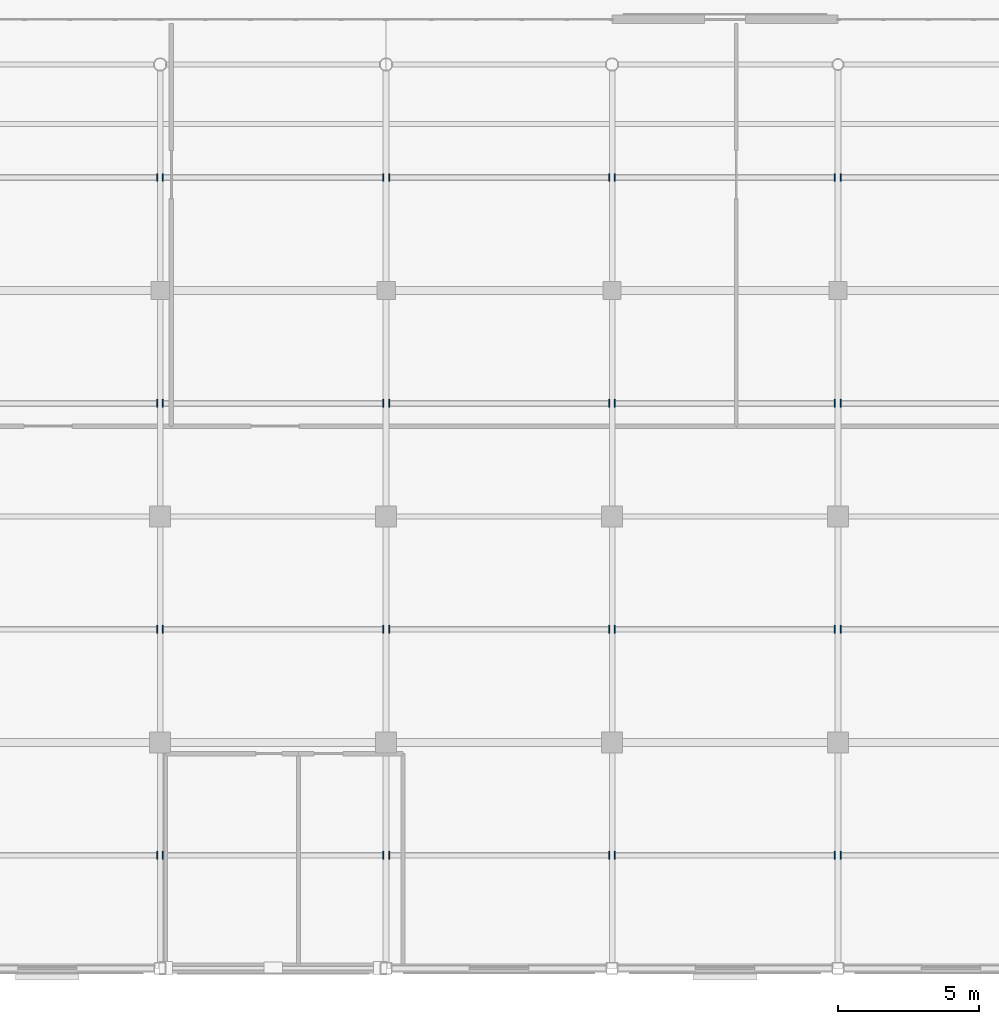
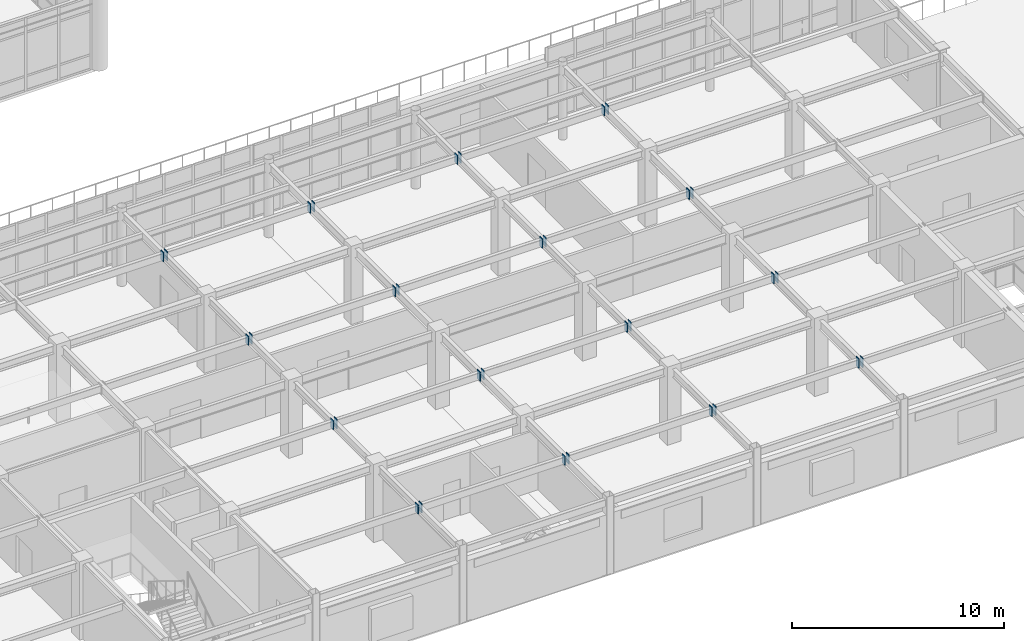
# One storey, part 68 of 93: 32 discrete accessories.
"""IFC4 building model written with IfcOpenShell, lengths in metres."""

from ifc_helpers import new_model, si_unit, direction, frame, origin, origin_2d, place, context, subcontext, project, spatial, rectangle, extrude, material, layer, layer_set, type_object, element, save


model = new_model("IFC4")

# Units and contexts
model_context = context("Model", 3, precision=1e-05, world=origin(), true_north=direction((0.0, 1.0)))
body_context = subcontext(model_context, "Body", "Model", "MODEL_VIEW")
ifc_project = project(units=[si_unit("LENGTHUNIT", "METRE"), si_unit("AREAUNIT", "SQUARE_METRE"), si_unit("VOLUMEUNIT", "CUBIC_METRE"), si_unit("PLANEANGLEUNIT", "RADIAN"), si_unit("MASSUNIT", "GRAM", prefix="KILO")], contexts=[model_context])

# Site, building, storey
site_placement = place(None, origin())
site = spatial("IfcSite", under=ifc_project, at=site_placement, CompositionType="ELEMENT")
building_placement = place(site_placement, origin())
building = spatial("IfcBuilding", under=site, at=building_placement, Name="Solmirada Galleria", CompositionType="ELEMENT")
storey_placement = place(building_placement, frame((0.0, 0.0, 14.89990234375)))
storey = spatial("IfcBuildingStorey", under=building, at=storey_placement, Name="L03", CompositionType="ELEMENT", Elevation=14.89990234375)

# Discrete accessories
ifc_material = material(Name="Steel S355 / ASTM A572 Grade 50", Category="steel")
ifc_layer = layer(ifc_material, 0.031982421875)
ifc_layer_set = layer_set([ifc_layer], Name="Steel S355 / ASTM A572 Grade 50")
discrete_accessory_type = type_object("IfcDiscreteAccessoryType", Name="ACC-COL-CAP", PredefinedType="BRACKET", material=ifc_layer_set)
for number, where, z_axis, x_axis, name in (
    (1, (103.903076171875, 4.0, 3.8271484375), (0.0, 0.0, 1.0), (1.0, 0.0, 0.0), "Hollow joist end plate L04-13-01-R"),
    (2, (103.903076171875, 12.0, 3.8271484375), (0.0, 0.0, 1.0), (1.0, 0.0, 0.0), "Hollow joist end plate L04-13-02-R"),
    (3, (103.903076171875, 20.0, 3.8271484375), (0.0, 0.0, 1.0), (1.0, 0.0, 0.0), "Hollow joist end plate L04-13-03-R"),
    (4, (103.903076171875, 28.0, 3.787109375), (0.0, 0.0, 1.0), (1.0, 0.0, 0.0), "Hollow joist end plate L04-13-04-R"),
    (5, (104.096923828125, 4.0, 3.8271484375), (0.0, 0.0, 1.0), (1.0, 0.0, 0.0), "Hollow joist end plate L04-14-01-L"),
    (6, (111.89501953125, 4.0, 3.8271484375), (0.0, 0.0, 1.0), (1.0, 0.0, 0.0), "Hollow joist end plate L04-14-01-R"),
    (7, (104.096923828125, 12.0, 3.8271484375), (0.0, 0.0, 1.0), (1.0, 0.0, 0.0), "Hollow joist end plate L04-14-02-L"),
    (8, (111.89501953125, 12.0, 3.8271484375), (0.0, 0.0, 1.0), (1.0, 0.0, 0.0), "Hollow joist end plate L04-14-02-R"),
    (9, (104.096923828125, 20.0, 3.8271484375), (0.0, 0.0, 1.0), (1.0, 0.0, 0.0), "Hollow joist end plate L04-14-03-L"),
    (10, (111.89501953125, 20.0, 3.8271484375), (0.0, 0.0, 1.0), (1.0, 0.0, 0.0), "Hollow joist end plate L04-14-03-R"),
    (11, (104.096923828125, 28.0, 3.787109375), (0.0, 0.0, 1.0), (1.0, 0.0, 0.0), "Hollow joist end plate L04-14-04-L"),
    (12, (111.89501953125, 28.0, 3.787109375), (0.0, 0.0, 1.0), (1.0, 0.0, 0.0), "Hollow joist end plate L04-14-04-R"),
    (13, (112.10498046875, 4.0, 3.8271484375), (0.0, 0.0, 1.0), (1.0, 0.0, 0.0), "Hollow joist end plate L04-15-01-L"),
    (14, (119.903076171875, 4.0, 3.8271484375), (0.0, 0.0, 1.0), (1.0, 0.0, 0.0), "Hollow joist end plate L04-15-01-R"),
    (15, (112.10498046875, 12.0, 3.8271484375), (0.0, 0.0, 1.0), (1.0, 0.0, 0.0), "Hollow joist end plate L04-15-02-L"),
    (16, (119.903076171875, 12.0, 3.8271484375), (0.0, 0.0, 1.0), (1.0, 0.0, 0.0), "Hollow joist end plate L04-15-02-R"),
    (17, (112.10498046875, 20.0, 3.8271484375), (0.0, 0.0, 1.0), (1.0, 0.0, 0.0), "Hollow joist end plate L04-15-03-L"),
    (18, (119.903076171875, 20.0, 3.8271484375), (0.0, 0.0, 1.0), (1.0, 0.0, 0.0), "Hollow joist end plate L04-15-03-R"),
    (19, (112.10498046875, 28.0, 3.787109375), (0.0, 0.0, 1.0), (1.0, 0.0, 0.0), "Hollow joist end plate L04-15-04-L"),
    (20, (119.903076171875, 28.0, 3.787109375), (0.0, 0.0, 1.0), (1.0, 0.0, 0.0), "Hollow joist end plate L04-15-04-R"),
    (21, (120.096923828125, 4.0, 3.8271484375), (0.0, 0.0, 1.0), (1.0, 0.0, 0.0), "Hollow joist end plate L04-16-01-L"),
    (22, (127.89501953125, 4.0, 3.8271484375), (0.0, 0.0, 1.0), (1.0, 0.0, 0.0), "Hollow joist end plate L04-16-01-R"),
    (23, (120.096923828125, 12.0, 3.8271484375), (0.0, 0.0, 1.0), (1.0, 0.0, 0.0), "Hollow joist end plate L04-16-02-L"),
    (24, (127.89501953125, 12.0, 3.8271484375), (0.0, 0.0, 1.0), (1.0, 0.0, 0.0), "Hollow joist end plate L04-16-02-R"),
    (25, (120.096923828125, 20.0, 3.8271484375), (0.0, 0.0, 1.0), (1.0, 0.0, 0.0), "Hollow joist end plate L04-16-03-L"),
    (26, (127.89501953125, 20.0, 3.8271484375), (0.0, 0.0, 1.0), (1.0, 0.0, 0.0), "Hollow joist end plate L04-16-03-R"),
    (27, (120.096923828125, 28.0, 3.787109375), (0.0, 0.0, 1.0), (1.0, 0.0, 0.0), "Hollow joist end plate L04-16-04-L"),
    (28, (127.89501953125, 28.0, 3.787109375), (0.0, 0.0, 1.0), (1.0, 0.0, 0.0), "Hollow joist end plate L04-16-04-R"),
    (29, (128.10498046875, 4.0, 3.787109375), (0.0, 0.0, 1.0), (1.0, 0.0, 0.0), "Hollow joist end plate L04-17-01-L"),
    (30, (128.10498046875, 12.0, 3.787109375), (0.0, 0.0, 1.0), (1.0, 0.0, 0.0), "Hollow joist end plate L04-17-02-L"),
    (31, (128.10498046875, 20.0, 3.787109375), (0.0, 0.0, 1.0), (1.0, 0.0, 0.0), "Hollow joist end plate L04-17-03-L"),
    (32, (128.10498046875, 28.0, 3.787109375), (0.0, 0.0, 1.0), (1.0, 0.0, 0.0), "Hollow joist end plate L04-17-04-L"),
):
    element("IfcDiscreteAccessory", number, at=place(storey_placement, frame(where, z_axis=z_axis, x_axis=x_axis)), inside=storey, type_object=discrete_accessory_type, Name=name, PredefinedType="BRACKET", context=body_context, shape_type="SweptSolid", body=[
        extrude(rectangle(XDim=0.035888671875, YDim=0.280029296875, at=origin_2d()), origin(), (0.0, 0.0, 1.0), 0.5400390625),
    ])

save(model, "model.ifc")
